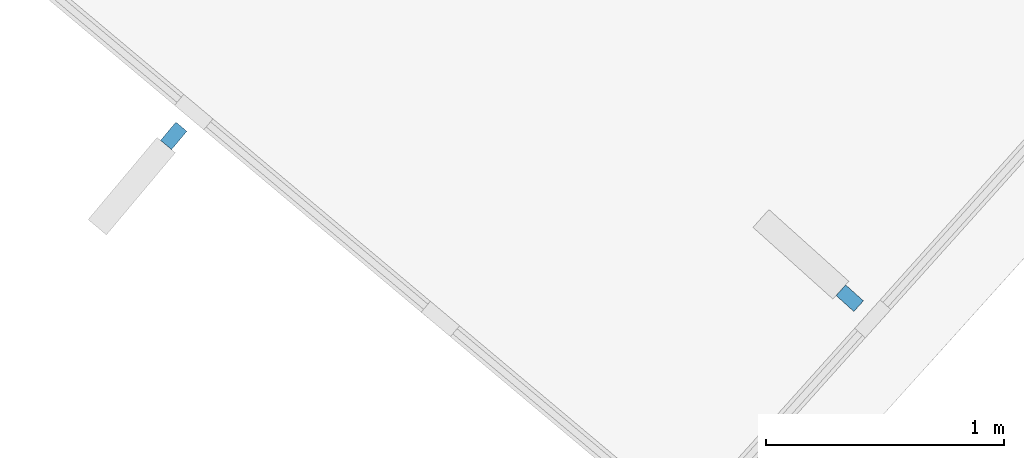
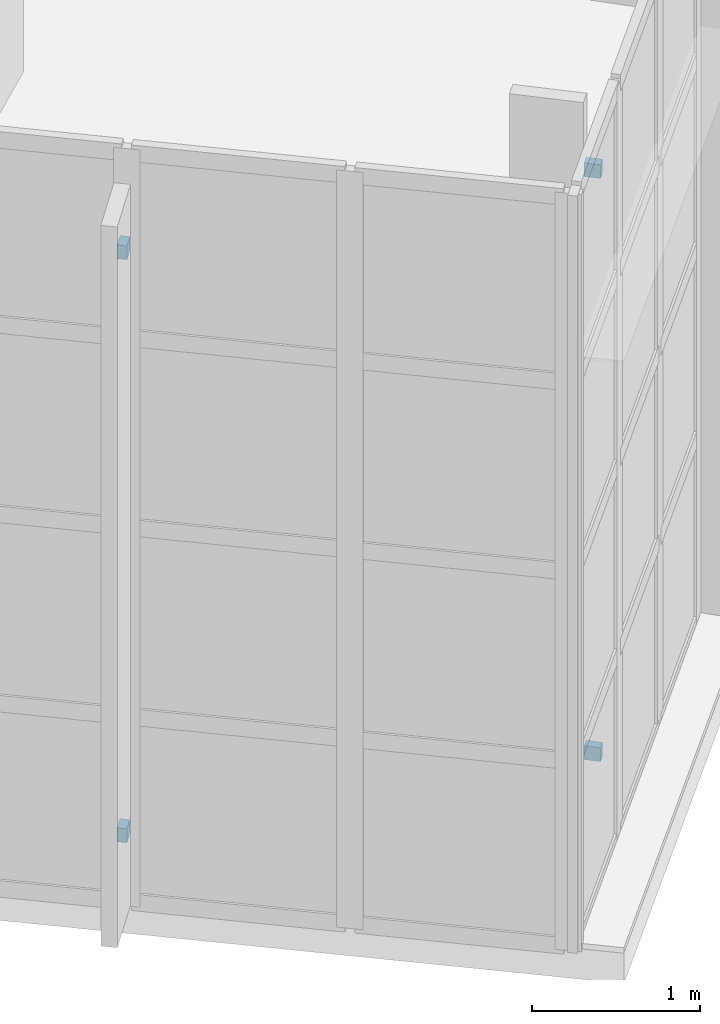
# One storey, part 72 of 94: 4 discrete accessories.
"""IFC4 building model written with IfcOpenShell, lengths in metres."""

from ifc_helpers import new_model, si_unit, direction, frame, origin, origin_2d, place, context, subcontext, project, spatial, rectangle, extrude, material, type_object, element, save


model = new_model("IFC4")

# Units and contexts
model_context = context("Model", 3, precision=1e-05, world=origin(), true_north=direction((0.0, 1.0)))
body_context = subcontext(model_context, "Body", "Model", "MODEL_VIEW")
ifc_project = project(units=[si_unit("LENGTHUNIT", "METRE"), si_unit("AREAUNIT", "SQUARE_METRE"), si_unit("VOLUMEUNIT", "CUBIC_METRE"), si_unit("PLANEANGLEUNIT", "RADIAN"), si_unit("MASSUNIT", "GRAM", prefix="KILO")], contexts=[model_context])

# Site, building, storey
site_placement = place(None, origin())
site = spatial("IfcSite", under=ifc_project, at=site_placement, CompositionType="ELEMENT")
building_placement = place(site_placement, origin())
building = spatial("IfcBuilding", under=site, at=building_placement, Name="Lunette Opera House", CompositionType="ELEMENT")
storey_placement = place(building_placement, frame((0.0, 0.0, 22.5)))
storey = spatial("IfcBuildingStorey", under=building, at=storey_placement, Name="L04", CompositionType="ELEMENT", Elevation=22.5)

# Discrete accessories
ifc_material = material(Name="Galvanised steel", Category="steel")
discrete_accessory_type = type_object("IfcDiscreteAccessoryType", Name="FIN BRACKET STEEL", PredefinedType="BRACKET", material=ifc_material)
for number, where, z_axis, x_axis, name in (
    (1, (56.618896484375, 34.572998046875, 0.56494140625), (0.0, 0.0, 1.0), (-0.74421712619, 0.667937773363, 0.0), "Fin bracket FC-X2169 2 1"),
    (2, (56.618896484375, 34.572998046875, 4.800048828125), (0.0, 0.0, 1.0), (-0.74421712619, 0.667937773363, 0.0), "Fin bracket FC-X2169 2 2"),
    (3, (53.783935546875, 35.25390625, 0.56494140625), (0.0, 0.0, 1.0), (-0.642839751189, -0.76600068818, 0.0), "Fin bracket FC-X2170 2 1"),
    (4, (53.783935546875, 35.25390625, 4.800048828125), (0.0, 0.0, 1.0), (-0.642839751189, -0.76600068818, 0.0), "Fin bracket FC-X2170 2 2"),
):
    element("IfcDiscreteAccessory", number, at=place(storey_placement, frame(where, z_axis=z_axis, x_axis=x_axis)), inside=storey, type_object=discrete_accessory_type, Name=name, PredefinedType="BRACKET", context=body_context, shape_type="SweptSolid", body=[
        extrude(rectangle(XDim=0.10009765625, YDim=0.06005859375, at=origin_2d()), origin(), (0.0, 0.0, 1.0), 0.10009765625),
    ])

save(model, "model.ifc")
